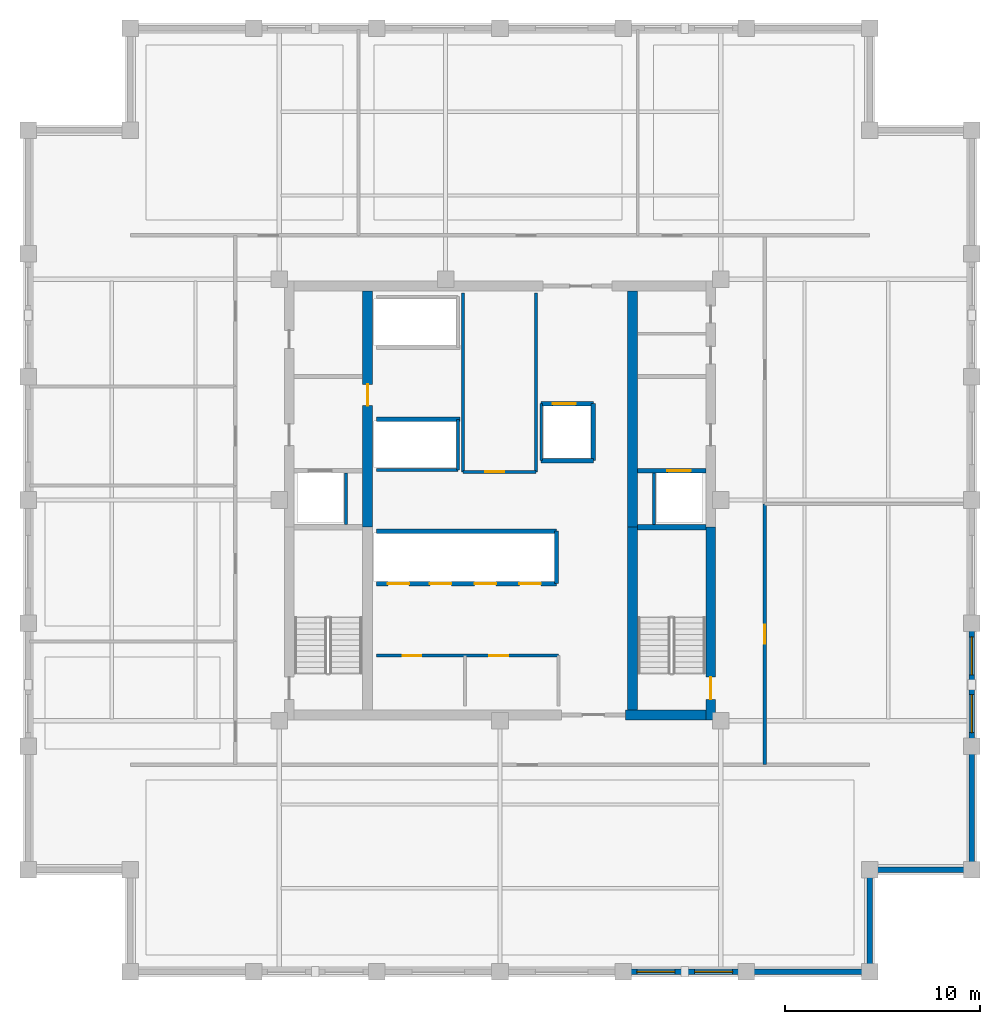
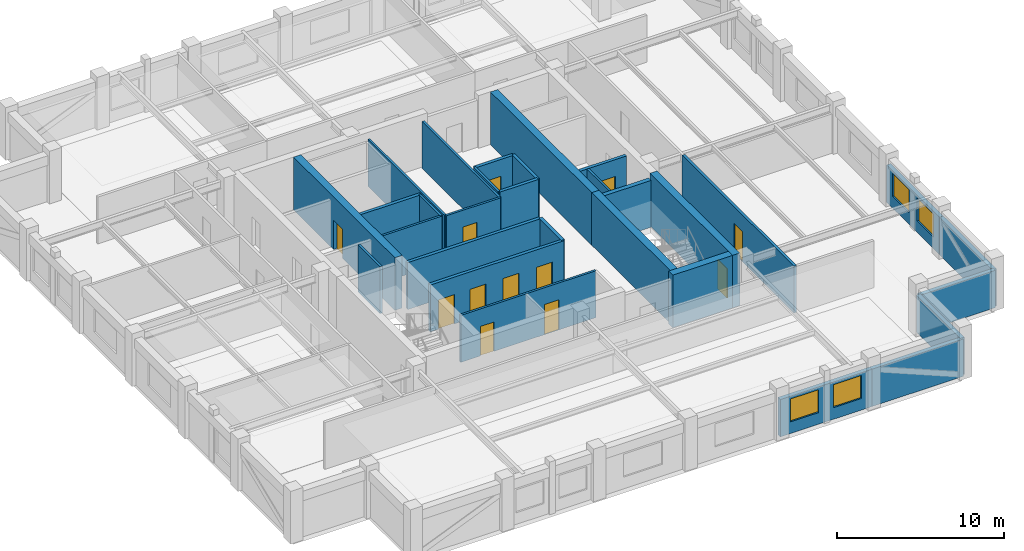
# One storey, part 3 of 9: 30 walls, 12 doors, 4 windows, 16 openings.
"""IFC4 building model written with IfcOpenShell, lengths in metres."""

from ifc_helpers import new_model, si_unit, direction, frame, frame_2d, origin, place, context, subcontext, project, spatial, rectangle, extrude, material, layer, layer_set, type_object, element, fill, save


model = new_model("IFC4")

# Units and contexts
model_context = context("Model", 3, precision=1e-05, world=origin(), true_north=direction((0.0, 1.0)))
body_context = subcontext(model_context, "Body", "Model", "MODEL_VIEW")
ifc_project = project(units=[si_unit("LENGTHUNIT", "METRE"), si_unit("AREAUNIT", "SQUARE_METRE"), si_unit("VOLUMEUNIT", "CUBIC_METRE"), si_unit("PLANEANGLEUNIT", "RADIAN"), si_unit("MASSUNIT", "GRAM", prefix="KILO")], contexts=[model_context])

# Site, building, storey
site_placement = place(None, origin())
site = spatial("IfcSite", under=ifc_project, at=site_placement, CompositionType="ELEMENT")
building_placement = place(site_placement, origin())
building = spatial("IfcBuilding", under=site, at=building_placement, Name="Nhamokura Convention Tower", CompositionType="ELEMENT")
storey_placement = place(building_placement, frame((0.0, 0.0, 186.89990234375)))
storey = spatial("IfcBuildingStorey", under=building, at=storey_placement, Name="L45", CompositionType="ELEMENT", Elevation=186.89990234375)

# Wall, openings, windows
ifc_material_1 = material(Name="Bronze-pigmented precast concrete C45/55", Category="concrete")
ifc_layer_1 = layer(ifc_material_1, 0.280029296875)
ifc_layer_set_1 = layer_set([ifc_layer_1], Name="BronzePrecastSpandrel_280")
wall_type_1 = type_object("IfcWallType", Name="BronzePrecastSpandrel_280", PredefinedType="USERDEFINED", material=ifc_layer_set_1)
wall_1_placement = place(storey_placement, frame((44.666748046875, 7.75, 0.0), z_axis=(0.0, 0.0, 1.0), x_axis=(-1.0, 0.0, 0.0)))
wall_1 = element("IfcWall", 1, at=wall_1_placement, inside=storey, type_object=wall_type_1, Name="L45 Masonry-Frame Wall SOUTH 4", ObjectType="SPANDREL_WALL", PredefinedType="USERDEFINED", context=body_context, shape_type="SweptSolid", body=[
    extrude(rectangle(XDim=6.33349609375, YDim=0.280029296875, at=frame_2d((3.166748046875, 0.0))), origin(), (0.0, 0.0, 1.0), 2.72998046875),
])
opening_1_placement = place(wall_1_placement, frame((0.708251953125, 0.0, 0.85009765625)))
opening_1 = element("IfcOpeningElement", 2, at=opening_1_placement, cuts=wall_1, Name="Opening W-08", PredefinedType="OPENING", context=body_context, shape_type="SweptSolid", body=[
    extrude(rectangle(XDim=1.949951171875, YDim=1.679931640625, at=frame_2d((0.97509765625, 0.83984375))), frame((0.0, 0.14990234375, 0.0), z_axis=(0.0, -1.0, 0.0), x_axis=(1.0, 0.0, 0.0)), (0.0, 0.0, 1.0), 0.300048828125),
])
opening_2_placement = place(wall_1_placement, frame((3.675048828125, 0.0, 0.85009765625)))
opening_2 = element("IfcOpeningElement", 3, at=opening_2_placement, cuts=wall_1, Name="Opening W-08", PredefinedType="OPENING", context=body_context, shape_type="SweptSolid", body=[
    extrude(rectangle(XDim=1.949951171875, YDim=1.679931640625, at=frame_2d((0.97509765625, 0.83984375))), frame((0.0, 0.14990234375, 0.0), z_axis=(0.0, -1.0, 0.0), x_axis=(1.0, 0.0, 0.0)), (0.0, 0.0, 1.0), 0.300048828125),
])
ifc_material_2 = material(Name="Solar-control bronze low-E double glass", Category="glass")
window_type = type_object("IfcWindowType", Name="OfficeModuleWindow_Z3_1950", PartitioningType="SINGLE_PANEL", PredefinedType="WINDOW", material=ifc_material_2)
window_1_placement = place(opening_1_placement, origin())
window_1 = element("IfcWindow", 4, at=window_1_placement, inside=storey, type_object=window_type, Name="L45 Facade Window SOUTH 4-1", OverallHeight=1.679931640625, OverallWidth=1.949951171875, PartitioningType="SINGLE_PANEL", PredefinedType="WINDOW", context=body_context, shape_type="SweptSolid", body=[
    extrude(rectangle(XDim=1.949951171875, YDim=1.679931640625, at=frame_2d((0.97509765625, 0.83984375))), frame((0.0, 0.030029296875, 0.0), z_axis=(0.0, -1.0, 0.0), x_axis=(1.0, 0.0, 0.0)), (0.0, 0.0, 1.0), 0.06005859375),
])
fill(opening_1, window_1)
window_2_placement = place(opening_2_placement, origin())
window_2 = element("IfcWindow", 5, at=window_2_placement, inside=storey, type_object=window_type, Name="L45 Facade Window SOUTH 4-2", OverallHeight=1.679931640625, OverallWidth=1.949951171875, PartitioningType="SINGLE_PANEL", PredefinedType="WINDOW", context=body_context, shape_type="SweptSolid", body=[
    extrude(rectangle(XDim=1.949951171875, YDim=1.679931640625, at=frame_2d((0.97509765625, 0.83984375))), frame((0.0, 0.030029296875, 0.0), z_axis=(0.0, -1.0, 0.0), x_axis=(1.0, 0.0, 0.0)), (0.0, 0.0, 1.0), 0.06005859375),
])
fill(opening_2, window_2)

# Walls
for number, where, z_axis, x_axis, name in (
    (6, (51.0, 7.75, 0.0), (0.0, 0.0, 1.0), (-1.0, 0.0, 0.0), "L45 Braced-Bay Precast Wall SOUTH 5"),
    (7, (56.25, 19.333251953125, 0.0), (0.0, 0.0, 1.0), (0.0, -1.0, 0.0), "L45 Braced-Bay Precast Wall EAST 0"),
):
    element("IfcWall", number, at=place(storey_placement, frame(where, z_axis=z_axis, x_axis=x_axis)), inside=storey, type_object=wall_type_1, Name=name, ObjectType="SPANDREL_WALL", PredefinedType="USERDEFINED", context=body_context, shape_type="SweptSolid", body=[
        extrude(rectangle(XDim=6.333251953125, YDim=0.280029296875, at=frame_2d((3.16650390625, 0.0))), origin(), (0.0, 0.0, 1.0), 2.72998046875),
    ])

# Wall, openings, windows
wall_2_placement = place(storey_placement, frame((56.25, 25.666748046875, 0.0), z_axis=(0.0, 0.0, 1.0), x_axis=(0.0, -1.0, 0.0)))
wall_2 = element("IfcWall", 8, at=wall_2_placement, inside=storey, type_object=wall_type_1, Name="L45 Masonry-Frame Wall EAST 1", ObjectType="SPANDREL_WALL", PredefinedType="USERDEFINED", context=body_context, shape_type="SweptSolid", body=[
    extrude(rectangle(XDim=6.33349609375, YDim=0.280029296875, at=frame_2d((3.166748046875, 0.0))), origin(), (0.0, 0.0, 1.0), 2.72998046875),
])
opening_3_placement = place(wall_2_placement, frame((0.708251953125, 0.0, 0.85009765625)))
opening_3 = element("IfcOpeningElement", 9, at=opening_3_placement, cuts=wall_2, Name="Opening W-08", PredefinedType="OPENING", context=body_context, shape_type="SweptSolid", body=[
    extrude(rectangle(XDim=1.949951171875, YDim=1.679931640625, at=frame_2d((0.97509765625, 0.83984375))), frame((0.0, 0.14990234375, 0.0), z_axis=(0.0, -1.0, 0.0), x_axis=(1.0, 0.0, 0.0)), (0.0, 0.0, 1.0), 0.300048828125),
])
opening_4_placement = place(wall_2_placement, frame((3.675048828125, 0.0, 0.85009765625)))
opening_4 = element("IfcOpeningElement", 10, at=opening_4_placement, cuts=wall_2, Name="Opening W-08", PredefinedType="OPENING", context=body_context, shape_type="SweptSolid", body=[
    extrude(rectangle(XDim=1.949951171875, YDim=1.679931640625, at=frame_2d((0.97509765625, 0.83984375))), frame((0.0, 0.14990234375, 0.0), z_axis=(0.0, -1.0, 0.0), x_axis=(1.0, 0.0, 0.0)), (0.0, 0.0, 1.0), 0.300048828125),
])
window_3_placement = place(opening_3_placement, origin())
window_3 = element("IfcWindow", 11, at=window_3_placement, inside=storey, type_object=window_type, Name="L45 Facade Window EAST 1-1", OverallHeight=1.679931640625, OverallWidth=1.949951171875, PartitioningType="SINGLE_PANEL", PredefinedType="WINDOW", context=body_context, shape_type="SweptSolid", body=[
    extrude(rectangle(XDim=1.949951171875, YDim=1.679931640625, at=frame_2d((0.97509765625, 0.83984375))), frame((0.0, 0.030029296875, 0.0), z_axis=(0.0, -1.0, 0.0), x_axis=(1.0, 0.0, 0.0)), (0.0, 0.0, 1.0), 0.06005859375),
])
fill(opening_3, window_3)
window_4_placement = place(opening_4_placement, origin())
window_4 = element("IfcWindow", 12, at=window_4_placement, inside=storey, type_object=window_type, Name="L45 Facade Window EAST 1-2", OverallHeight=1.679931640625, OverallWidth=1.949951171875, PartitioningType="SINGLE_PANEL", PredefinedType="WINDOW", context=body_context, shape_type="SweptSolid", body=[
    extrude(rectangle(XDim=1.949951171875, YDim=1.679931640625, at=frame_2d((0.97509765625, 0.83984375))), frame((0.0, 0.030029296875, 0.0), z_axis=(0.0, -1.0, 0.0), x_axis=(1.0, 0.0, 0.0)), (0.0, 0.0, 1.0), 0.06005859375),
])
fill(opening_4, window_4)

# Walls
for number, where, z_axis, x_axis, name in (
    (13, (51.0, 13.0, 0.0), (0.0, 0.0, 1.0), (0.0, -1.0, 0.0), "L45 Notched Corner Wall SE1"),
    (14, (56.25, 13.0, 0.0), (0.0, 0.0, 1.0), (-1.0, 0.0, 0.0), "L45 Notched Corner Wall SE2"),
):
    element("IfcWall", number, at=place(storey_placement, frame(where, z_axis=z_axis, x_axis=x_axis)), inside=storey, type_object=wall_type_1, Name=name, ObjectType="SPANDREL_WALL", PredefinedType="USERDEFINED", context=body_context, shape_type="SweptSolid", body=[
        extrude(rectangle(XDim=5.25, YDim=0.280029296875, at=frame_2d((2.625, 0.0))), origin(), (0.0, 0.0, 1.0), 2.72998046875),
    ])

# Wall, opening, door
ifc_material_3 = material(Name="Concrete C60/75", Category="concrete")
ifc_layer_2 = layer(ifc_material_3, 0.5)
ifc_layer_set_2 = layer_set([ifc_layer_2], Name="CoreShearWall_500")
wall_type_2 = type_object("IfcWallType", Name="CoreShearWall_500", PredefinedType="SHEAR", material=ifc_layer_set_2)
wall_3_placement = place(storey_placement, frame((42.840087890625, 20.699951171875, 0.0), z_axis=(0.0, 0.0, 1.0), x_axis=(0.0, 1.0, 0.0)))
wall_3 = element("IfcWall", 15, at=wall_3_placement, inside=storey, type_object=wall_type_2, Name="L45 Core Shear Wall CW-ES", PredefinedType="SHEAR", context=body_context, shape_type="SweptSolid", body=[
    extrude(rectangle(XDim=9.900146484375, YDim=0.5, at=frame_2d((4.9501953125, 0.0))), origin(), (0.0, 0.0, 1.0), 3.85009765625),
])
opening_5_placement = place(wall_3_placement, frame((1.050048828125, 0.0, 0.0)))
opening_5 = element("IfcOpeningElement", 16, at=opening_5_placement, cuts=wall_3, Name="Opening D-04", PredefinedType="OPENING", context=body_context, shape_type="SweptSolid", body=[
    extrude(rectangle(XDim=1.14990234375, YDim=2.14990234375, at=frame_2d((0.574951171875, 1.074951171875))), frame((0.0, 0.260009765625, 0.0), z_axis=(0.0, -1.0, 0.0), x_axis=(1.0, 0.0, 0.0)), (0.0, 0.0, 1.0), 0.52001953125),
])
ifc_material_4 = material(Name="Fire-rated steel door", Category="steel")
door_type_1 = type_object("IfcDoorType", Name="StairSmokeDoor_1150", OperationType="NOTDEFINED", PredefinedType="DOOR", material=ifc_material_4)
door_1_placement = place(opening_5_placement, origin())
door_1 = element("IfcDoor", 17, at=door_1_placement, inside=storey, type_object=door_type_1, Name="L45 Core Door INT-L45-D-ST02", OperationType="SINGLE_SWING_RIGHT", OverallHeight=2.14990234375, OverallWidth=1.14990234375, PredefinedType="DOOR", context=body_context, shape_type="SweptSolid", body=[
    extrude(rectangle(XDim=1.14990234375, YDim=2.14990234375, at=frame_2d((0.574951171875, 1.074951171875))), frame((0.0, 0.02490234375, 0.0), z_axis=(0.0, -1.0, 0.0), x_axis=(1.0, 0.0, 0.0)), (0.0, 0.0, 1.0), 0.050048828125),
])
fill(opening_5, door_1)

# Wall
wall_4_placement = place(storey_placement, frame((38.449951171875, 20.949951171875, 0.0), z_axis=(0.0, 0.0, 1.0), x_axis=(1.0, 0.0, 0.0)))
element("IfcWall", 18, at=wall_4_placement, inside=storey, type_object=wall_type_2, Name="L45 Core Shear Wall CW-S2", PredefinedType="SHEAR", context=body_context, shape_type="SweptSolid", body=[
    extrude(rectangle(XDim=4.14013671875, YDim=0.5, at=frame_2d((2.070068359375, 0.0))), origin(), (0.0, 0.0, 1.0), 3.85009765625),
])

# Wall, opening, door
wall_5_placement = place(storey_placement, frame((25.18994140625, 30.60009765625, 0.0), z_axis=(0.0, 0.0, 1.0), x_axis=(0.0, 1.0, 0.0)))
wall_5 = element("IfcWall", 19, at=wall_5_placement, inside=storey, type_object=wall_type_2, Name="L45 Core Shear Wall CW-IWN", PredefinedType="SHEAR", context=body_context, shape_type="SweptSolid", body=[
    extrude(rectangle(XDim=12.14990234375, YDim=0.5, at=frame_2d((6.074951171875, 0.0))), origin(), (0.0, 0.0, 1.0), 3.85009765625),
])
opening_6_placement = place(wall_5_placement, frame((6.25, 0.0, 0.0)))
opening_6 = element("IfcOpeningElement", 20, at=opening_6_placement, cuts=wall_5, Name="Opening D-05", PredefinedType="OPENING", context=body_context, shape_type="SweptSolid", body=[
    extrude(rectangle(XDim=1.10009765625, YDim=2.14990234375, at=frame_2d((0.550048828125, 1.074951171875))), frame((0.0, 0.260009765625, 0.0), z_axis=(0.0, -1.0, 0.0), x_axis=(1.0, 0.0, 0.0)), (0.0, 0.0, 1.0), 0.52001953125),
])
ifc_material_5 = material(Name="Fire-rated steel door", Category="steel")
door_type_2 = type_object("IfcDoorType", Name="FireLobbyDoor_1100", OperationType="NOTDEFINED", PredefinedType="DOOR", material=ifc_material_5)
door_2_placement = place(opening_6_placement, origin())
door_2 = element("IfcDoor", 21, at=door_2_placement, inside=storey, type_object=door_type_2, Name="L45 Core Door INT-L45-D-B3LOB", OperationType="SINGLE_SWING_LEFT", OverallHeight=2.14990234375, OverallWidth=1.10009765625, PredefinedType="DOOR", context=body_context, shape_type="SweptSolid", body=[
    extrude(rectangle(XDim=1.10009765625, YDim=2.14990234375, at=frame_2d((0.550048828125, 1.074951171875))), frame((0.0, 0.02490234375, 0.0), z_axis=(0.0, -1.0, 0.0), x_axis=(1.0, 0.0, 0.0)), (0.0, 0.0, 1.0), 0.050048828125),
])
fill(opening_6, door_2)

# Walls
wall_6_placement = place(storey_placement, frame((38.81005859375, 21.199951171875, 0.0), z_axis=(0.0, 0.0, 1.0), x_axis=(0.0, 1.0, 0.0)))
element("IfcWall", 22, at=wall_6_placement, inside=storey, type_object=wall_type_2, Name="L45 Core Shear Wall CW-IES", PredefinedType="SHEAR", context=body_context, shape_type="SweptSolid", body=[
    extrude(rectangle(XDim=9.400146484375, YDim=0.5, at=frame_2d((4.7001953125, 0.0))), origin(), (0.0, 0.0, 1.0), 3.85009765625),
])
wall_7_placement = place(storey_placement, frame((38.81005859375, 30.60009765625, 0.0), z_axis=(0.0, 0.0, 1.0), x_axis=(0.0, 1.0, 0.0)))
element("IfcWall", 23, at=wall_7_placement, inside=storey, type_object=wall_type_2, Name="L45 Core Shear Wall CW-IEN", PredefinedType="SHEAR", context=body_context, shape_type="SweptSolid", body=[
    extrude(rectangle(XDim=12.14990234375, YDim=0.5, at=frame_2d((6.074951171875, 0.0))), origin(), (0.0, 0.0, 1.0), 3.85009765625),
])

# Wall, opening, door
ifc_material_6 = material(Name="Fire-rated gypsum and masonry partition", Category="masonry")
ifc_layer_3 = layer(ifc_material_6, 0.179931640625)
ifc_layer_set_3 = layer_set([ifc_layer_3], Name="CorridorRatedWall_180")
wall_type_3 = type_object("IfcWallType", Name="CorridorRatedWall_180", PredefinedType="STANDARD", material=ifc_layer_set_3)
wall_8_placement = place(storey_placement, frame((45.60009765625, 18.39990234375, 0.0), z_axis=(0.0, 0.0, 1.0), x_axis=(0.0, 1.0, 0.0)))
wall_8 = element("IfcWall", 24, at=wall_8_placement, inside=storey, type_object=wall_type_3, Name="L45 Wall INT-L45-CW-E00", PredefinedType="STANDARD", context=body_context, shape_type="SweptSolid", body=[
    extrude(rectangle(XDim=13.400146484375, YDim=0.179931640625, at=frame_2d((6.7001953125, 0.0))), origin(), (0.0, 0.0, 1.0), 3.43017578125),
])
opening_7_placement = place(wall_8_placement, frame((6.199951171875, 0.0, 0.0)))
opening_7 = element("IfcOpeningElement", 25, at=opening_7_placement, cuts=wall_8, Name="Opening D-08", PredefinedType="OPENING", context=body_context, shape_type="SweptSolid", body=[
    extrude(rectangle(XDim=0.97998046875, YDim=2.199951171875, at=frame_2d((0.489990234375, 1.10009765625))), frame((0.0, 0.099853515625, 0.0), z_axis=(0.0, -1.0, 0.0), x_axis=(1.0, 0.0, 0.0)), (0.0, 0.0, 1.0), 0.199951171875),
])
ifc_material_7 = material(Name="Solid oak hardwood", Category="wood")
door_type_3 = type_object("IfcDoorType", Name="OfficeEntryDoor_980", OperationType="NOTDEFINED", PredefinedType="DOOR", material=ifc_material_7)
door_3_placement = place(opening_7_placement, origin())
door_3 = element("IfcDoor", 26, at=door_3_placement, inside=storey, type_object=door_type_3, Name="L45 Staff Lounge E01 Door", OperationType="SINGLE_SWING_LEFT", OverallHeight=2.199951171875, OverallWidth=0.97998046875, PredefinedType="DOOR", context=body_context, shape_type="SweptSolid", body=[
    extrude(rectangle(XDim=0.97998046875, YDim=2.199951171875, at=frame_2d((0.489990234375, 1.10009765625))), frame((0.0, 0.02490234375, 0.0), z_axis=(0.0, -1.0, 0.0), x_axis=(1.0, 0.0, 0.0)), (0.0, 0.0, 1.0), 0.050048828125),
])
fill(opening_7, door_3)

ifc_material_8 = material(Name="Autoclaved concrete blockwork", Category="masonry")
ifc_layer_4 = layer(ifc_material_8, 0.219970703125)
ifc_layer_set_4 = layer_set([ifc_layer_4], Name="FireLobbyWall_220")
wall_type_4 = type_object("IfcWallType", Name="FireLobbyWall_220", PredefinedType="STANDARD", material=ifc_layer_set_4)
wall_9_placement = place(storey_placement, frame((39.06005859375, 33.5, 0.0), z_axis=(0.0, 0.0, 1.0), x_axis=(1.0, 0.0, 0.0)))
wall_9 = element("IfcWall", 27, at=wall_9_placement, inside=storey, type_object=wall_type_4, Name="L45 Wall INT-L45-FFE-S", PredefinedType="STANDARD", context=body_context, shape_type="SweptSolid", body=[
    extrude(rectangle(XDim=3.530029296875, YDim=0.219970703125, at=frame_2d((1.76513671875, 0.0))), origin(), (0.0, 0.0, 1.0), 3.43017578125),
])
opening_8_placement = place(wall_9_placement, frame((1.550048828125, 0.0, 0.0)))
opening_8 = element("IfcOpeningElement", 28, at=opening_8_placement, cuts=wall_9, Name="Opening LD-02", PredefinedType="OPENING", context=body_context, shape_type="SweptSolid", body=[
    extrude(rectangle(XDim=1.199951171875, YDim=2.199951171875, at=frame_2d((0.60009765625, 1.10009765625))), frame((0.0, 0.119873046875, 0.0), z_axis=(0.0, -1.0, 0.0), x_axis=(1.0, 0.0, 0.0)), (0.0, 0.0, 1.0), 0.239990234375),
])
ifc_material_9 = material(Name="Anodised bronze stainless steel", Category="steel")
door_type_4 = type_object("IfcDoorType", Name="LiftLandingDoor_FireService", OperationType="DOUBLE_DOOR_SLIDING", PredefinedType="DOOR", material=ifc_material_9)
door_4_placement = place(opening_8_placement, origin())
door_4 = element("IfcDoor", 29, at=door_4_placement, inside=storey, type_object=door_type_4, Name="L45 Firefighting Lift LF-02 Door", OperationType="DOUBLE_DOOR_SLIDING", OverallHeight=2.199951171875, OverallWidth=1.199951171875, PredefinedType="DOOR", context=body_context, shape_type="SweptSolid", body=[
    extrude(rectangle(XDim=1.199951171875, YDim=2.199951171875, at=frame_2d((0.60009765625, 1.10009765625))), frame((0.0, 0.02490234375, 0.0), z_axis=(0.0, -1.0, 0.0), x_axis=(1.0, 0.0, 0.0)), (0.0, 0.0, 1.0), 0.050048828125),
])
fill(opening_8, door_4)

# Wall, openings, doors
wall_10_placement = place(storey_placement, frame((25.64990234375, 27.699951171875, 0.0), z_axis=(0.0, 0.0, 1.0), x_axis=(1.0, 0.0, 0.0)))
wall_10 = element("IfcWall", 30, at=wall_10_placement, inside=storey, type_object=wall_type_4, Name="L45 Wall INT-L45-B2S", PredefinedType="STANDARD", context=body_context, shape_type="SweptSolid", body=[
    extrude(rectangle(XDim=9.25, YDim=0.219970703125, at=frame_2d((4.625, 0.0))), origin(), (0.0, 0.0, 1.0), 3.43017578125),
])
opening_9_placement = place(wall_10_placement, frame((0.580078125, 0.0, 0.0)))
opening_9 = element("IfcOpeningElement", 31, at=opening_9_placement, cuts=wall_10, Name="Opening LD-01", PredefinedType="OPENING", context=body_context, shape_type="SweptSolid", body=[
    extrude(rectangle(XDim=1.10009765625, YDim=2.14990234375, at=frame_2d((0.550048828125, 1.074951171875))), frame((0.0, 0.119873046875, 0.0), z_axis=(0.0, -1.0, 0.0), x_axis=(1.0, 0.0, 0.0)), (0.0, 0.0, 1.0), 0.239990234375),
])
opening_10_placement = place(wall_10_placement, frame((2.75, 0.0, 0.0)))
opening_10 = element("IfcOpeningElement", 32, at=opening_10_placement, cuts=wall_10, Name="Opening LD-01", PredefinedType="OPENING", context=body_context, shape_type="SweptSolid", body=[
    extrude(rectangle(XDim=1.10009765625, YDim=2.14990234375, at=frame_2d((0.550048828125, 1.074951171875))), frame((0.0, 0.119873046875, 0.0), z_axis=(0.0, -1.0, 0.0), x_axis=(1.0, 0.0, 0.0)), (0.0, 0.0, 1.0), 0.239990234375),
])
opening_11_placement = place(wall_10_placement, frame((5.050048828125, 0.0, 0.0)))
opening_11 = element("IfcOpeningElement", 33, at=opening_11_placement, cuts=wall_10, Name="Opening LD-01", PredefinedType="OPENING", context=body_context, shape_type="SweptSolid", body=[
    extrude(rectangle(XDim=1.10009765625, YDim=2.14990234375, at=frame_2d((0.550048828125, 1.074951171875))), frame((0.0, 0.119873046875, 0.0), z_axis=(0.0, -1.0, 0.0), x_axis=(1.0, 0.0, 0.0)), (0.0, 0.0, 1.0), 0.239990234375),
])
opening_12_placement = place(wall_10_placement, frame((7.35009765625, 0.0, 0.0)))
opening_12 = element("IfcOpeningElement", 34, at=opening_12_placement, cuts=wall_10, Name="Opening LD-01", PredefinedType="OPENING", context=body_context, shape_type="SweptSolid", body=[
    extrude(rectangle(XDim=1.10009765625, YDim=2.14990234375, at=frame_2d((0.550048828125, 1.074951171875))), frame((0.0, 0.119873046875, 0.0), z_axis=(0.0, -1.0, 0.0), x_axis=(1.0, 0.0, 0.0)), (0.0, 0.0, 1.0), 0.239990234375),
])
ifc_material_10 = material(Name="Anodised bronze stainless steel", Category="steel")
door_type_5 = type_object("IfcDoorType", Name="LiftLandingDoor_Passenger", OperationType="DOUBLE_DOOR_SLIDING", PredefinedType="DOOR", material=ifc_material_10)
door_5_placement = place(opening_9_placement, origin())
door_5 = element("IfcDoor", 35, at=door_5_placement, inside=storey, type_object=door_type_5, Name="L45 Lift LP-05 Landing Door", OperationType="DOUBLE_DOOR_SLIDING", OverallHeight=2.14990234375, OverallWidth=1.10009765625, PredefinedType="DOOR", context=body_context, shape_type="SweptSolid", body=[
    extrude(rectangle(XDim=1.10009765625, YDim=2.14990234375, at=frame_2d((0.550048828125, 1.074951171875))), frame((0.0, 0.02490234375, 0.0), z_axis=(0.0, -1.0, 0.0), x_axis=(1.0, 0.0, 0.0)), (0.0, 0.0, 1.0), 0.050048828125),
])
fill(opening_9, door_5)
door_6_placement = place(opening_10_placement, origin())
door_6 = element("IfcDoor", 36, at=door_6_placement, inside=storey, type_object=door_type_5, Name="L45 Lift LP-06 Landing Door", OperationType="DOUBLE_DOOR_SLIDING", OverallHeight=2.14990234375, OverallWidth=1.10009765625, PredefinedType="DOOR", context=body_context, shape_type="SweptSolid", body=[
    extrude(rectangle(XDim=1.10009765625, YDim=2.14990234375, at=frame_2d((0.550048828125, 1.074951171875))), frame((0.0, 0.02490234375, 0.0), z_axis=(0.0, -1.0, 0.0), x_axis=(1.0, 0.0, 0.0)), (0.0, 0.0, 1.0), 0.050048828125),
])
fill(opening_10, door_6)
door_7_placement = place(opening_11_placement, origin())
door_7 = element("IfcDoor", 37, at=door_7_placement, inside=storey, type_object=door_type_5, Name="L45 Lift LP-07 Landing Door", OperationType="DOUBLE_DOOR_SLIDING", OverallHeight=2.14990234375, OverallWidth=1.10009765625, PredefinedType="DOOR", context=body_context, shape_type="SweptSolid", body=[
    extrude(rectangle(XDim=1.10009765625, YDim=2.14990234375, at=frame_2d((0.550048828125, 1.074951171875))), frame((0.0, 0.02490234375, 0.0), z_axis=(0.0, -1.0, 0.0), x_axis=(1.0, 0.0, 0.0)), (0.0, 0.0, 1.0), 0.050048828125),
])
fill(opening_11, door_7)
door_8_placement = place(opening_12_placement, origin())
door_8 = element("IfcDoor", 38, at=door_8_placement, inside=storey, type_object=door_type_5, Name="L45 Lift LP-08 Landing Door", OperationType="DOUBLE_DOOR_SLIDING", OverallHeight=2.14990234375, OverallWidth=1.10009765625, PredefinedType="DOOR", context=body_context, shape_type="SweptSolid", body=[
    extrude(rectangle(XDim=1.10009765625, YDim=2.14990234375, at=frame_2d((0.550048828125, 1.074951171875))), frame((0.0, 0.02490234375, 0.0), z_axis=(0.0, -1.0, 0.0), x_axis=(1.0, 0.0, 0.0)), (0.0, 0.0, 1.0), 0.050048828125),
])
fill(opening_12, door_8)

# Walls
wall_11_placement = place(storey_placement, frame((25.64990234375, 30.39990234375, 0.0), z_axis=(0.0, 0.0, 1.0), x_axis=(1.0, 0.0, 0.0)))
element("IfcWall", 39, at=wall_11_placement, inside=storey, type_object=wall_type_4, Name="L45 Wall INT-L45-B2N", PredefinedType="STANDARD", context=body_context, shape_type="SweptSolid", body=[
    extrude(rectangle(XDim=9.25, YDim=0.219970703125, at=frame_2d((4.625, 0.0))), origin(), (0.0, 0.0, 1.0), 3.43017578125),
])
wall_12_placement = place(storey_placement, frame((34.89990234375, 27.699951171875, 0.0), z_axis=(0.0, 0.0, 1.0), x_axis=(0.0, 1.0, 0.0)))
element("IfcWall", 40, at=wall_12_placement, inside=storey, type_object=wall_type_4, Name="L45 Wall INT-L45-B2E", PredefinedType="STANDARD", context=body_context, shape_type="SweptSolid", body=[
    extrude(rectangle(XDim=2.699951171875, YDim=0.219970703125, at=frame_2d((1.35009765625, 0.0))), origin(), (0.0, 0.0, 1.0), 3.43017578125),
])
wall_13_placement = place(storey_placement, frame((25.64990234375, 36.14990234375, 0.0), z_axis=(0.0, 0.0, 1.0), x_axis=(1.0, 0.0, 0.0)))
element("IfcWall", 41, at=wall_13_placement, inside=storey, type_object=wall_type_4, Name="L45 Wall INT-L45-B3S", PredefinedType="STANDARD", context=body_context, shape_type="SweptSolid", body=[
    extrude(rectangle(XDim=4.300048828125, YDim=0.219970703125, at=frame_2d((2.14990234375, 0.0))), origin(), (0.0, 0.0, 1.0), 3.43017578125),
])

# Wall, opening, door
wall_14_placement = place(storey_placement, frame((34.1201171875, 36.949951171875, 0.0), z_axis=(0.0, 0.0, 1.0), x_axis=(1.0, 0.0, 0.0)))
wall_14 = element("IfcWall", 42, at=wall_14_placement, inside=storey, type_object=wall_type_4, Name="L45 Wall INT-L45-LSN", PredefinedType="STANDARD", context=body_context, shape_type="SweptSolid", body=[
    extrude(rectangle(XDim=2.679931640625, YDim=0.219970703125, at=frame_2d((1.33984375, 0.0))), origin(), (0.0, 0.0, 1.0), 3.43017578125),
])
opening_13_placement = place(wall_14_placement, frame((0.580078125, 0.0, 0.0)))
opening_13 = element("IfcOpeningElement", 43, at=opening_13_placement, cuts=wall_14, Name="Opening LD-02", PredefinedType="OPENING", context=body_context, shape_type="SweptSolid", body=[
    extrude(rectangle(XDim=1.199951171875, YDim=2.199951171875, at=frame_2d((0.60009765625, 1.10009765625))), frame((0.0, 0.119873046875, 0.0), z_axis=(0.0, -1.0, 0.0), x_axis=(1.0, 0.0, 0.0)), (0.0, 0.0, 1.0), 0.239990234375),
])
door_9_placement = place(opening_13_placement, origin())
door_9 = element("IfcDoor", 44, at=door_9_placement, inside=storey, type_object=door_type_4, Name="L45 Service Lift LS-01 Door", OperationType="DOUBLE_DOOR_SLIDING", OverallHeight=2.199951171875, OverallWidth=1.199951171875, PredefinedType="DOOR", context=body_context, shape_type="SweptSolid", body=[
    extrude(rectangle(XDim=1.199951171875, YDim=2.199951171875, at=frame_2d((0.60009765625, 1.10009765625))), frame((0.0, 0.02490234375, 0.0), z_axis=(0.0, -1.0, 0.0), x_axis=(1.0, 0.0, 0.0)), (0.0, 0.0, 1.0), 0.050048828125),
])
fill(opening_13, door_9)

# Walls
wall_15_placement = place(storey_placement, frame((36.800048828125, 34.02001953125, 0.0), z_axis=(0.0, 0.0, 1.0), x_axis=(0.0, 1.0, 0.0)))
element("IfcWall", 45, at=wall_15_placement, inside=storey, type_object=wall_type_4, Name="L45 Wall INT-L45-LSE", PredefinedType="STANDARD", context=body_context, shape_type="SweptSolid", body=[
    extrude(rectangle(XDim=2.929931640625, YDim=0.219970703125, at=frame_2d((1.46484375, 0.0))), origin(), (0.0, 0.0, 1.0), 3.43017578125),
])
wall_16_placement = place(storey_placement, frame((34.1201171875, 34.02001953125, 0.0), z_axis=(0.0, 0.0, 1.0), x_axis=(1.0, 0.0, 0.0)))
element("IfcWall", 46, at=wall_16_placement, inside=storey, type_object=wall_type_4, Name="L45 Wall INT-L45-LSS", PredefinedType="STANDARD", context=body_context, shape_type="SweptSolid", body=[
    extrude(rectangle(XDim=2.679931640625, YDim=0.219970703125, at=frame_2d((1.33984375, 0.0))), origin(), (0.0, 0.0, 1.0), 3.43017578125),
])
ifc_material_11 = material(Name="Acoustic gypsum stud partition", Category="masonry")
ifc_layer_5 = layer(ifc_material_11, 0.14990234375)
ifc_layer_set_5 = layer_set([ifc_layer_5], Name="InteriorPartition_150")
wall_type_5 = type_object("IfcWallType", Name="InteriorPartition_150", PredefinedType="STANDARD", material=ifc_layer_set_5)
for number, where, z_axis, x_axis, name in (
    (47, (24.080078125, 30.75, 0.0), (0.0, 0.0, 1.0), (0.0, 1.0, 0.0), "L45 Wall INT-L45-FF1-E"),
    (48, (39.919921875, 30.75, 0.0), (0.0, 0.0, 1.0), (0.0, 1.0, 0.0), "L45 Wall INT-L45-FF2-W"),
):
    element("IfcWall", number, at=place(storey_placement, frame(where, z_axis=z_axis, x_axis=x_axis)), inside=storey, type_object=wall_type_5, Name=name, PredefinedType="STANDARD", context=body_context, shape_type="SweptSolid", body=[
        extrude(rectangle(XDim=2.64990234375, YDim=0.14990234375, at=frame_2d((1.324951171875, 0.0))), origin(), (0.0, 0.0, 1.0), 3.43017578125),
    ])

# Wall, openings, doors
wall_17_placement = place(storey_placement, frame((25.64990234375, 24.0, 0.0), z_axis=(0.0, 0.0, 1.0), x_axis=(1.0, 0.0, 0.0)))
wall_17 = element("IfcWall", 49, at=wall_17_placement, inside=storey, type_object=wall_type_5, Name="L45 Wall INT-L45-B1R-N", PredefinedType="STANDARD", context=body_context, shape_type="SweptSolid", body=[
    extrude(rectangle(XDim=9.35009765625, YDim=0.14990234375, at=frame_2d((4.675048828125, 0.0))), origin(), (0.0, 0.0, 1.0), 3.43017578125),
])
opening_14_placement = place(wall_17_placement, frame((1.35009765625, 0.0, 0.0)))
opening_14 = element("IfcOpeningElement", 50, at=opening_14_placement, cuts=wall_17, Name="Opening D-09", PredefinedType="OPENING", context=body_context, shape_type="SweptSolid", body=[
    extrude(rectangle(XDim=0.949951171875, YDim=2.14990234375, at=frame_2d((0.47509765625, 1.074951171875))), frame((0.0, 0.0849609375, 0.0), z_axis=(0.0, -1.0, 0.0), x_axis=(1.0, 0.0, 0.0)), (0.0, 0.0, 1.0), 0.169921875),
])
opening_15_placement = place(wall_17_placement, frame((5.800048828125, 0.0, 0.0)))
opening_15 = element("IfcOpeningElement", 51, at=opening_15_placement, cuts=wall_17, Name="Opening D-08", PredefinedType="OPENING", context=body_context, shape_type="SweptSolid", body=[
    extrude(rectangle(XDim=0.97998046875, YDim=2.199951171875, at=frame_2d((0.489990234375, 1.10009765625))), frame((0.0, 0.0849609375, 0.0), z_axis=(0.0, -1.0, 0.0), x_axis=(1.0, 0.0, 0.0)), (0.0, 0.0, 1.0), 0.169921875),
])
ifc_material_12 = material(Name="Solid oak hardwood", Category="wood")
door_type_6 = type_object("IfcDoorType", Name="MeetingRoomDoor_950", OperationType="NOTDEFINED", PredefinedType="DOOR", material=ifc_material_12)
door_10_placement = place(opening_14_placement, origin())
door_10 = element("IfcDoor", 52, at=door_10_placement, inside=storey, type_object=door_type_6, Name="L45 Reclaimed Briefing Room Door", OperationType="SINGLE_SWING_RIGHT", OverallHeight=2.14990234375, OverallWidth=0.949951171875, PredefinedType="DOOR", context=body_context, shape_type="SweptSolid", body=[
    extrude(rectangle(XDim=0.949951171875, YDim=2.14990234375, at=frame_2d((0.47509765625, 1.074951171875))), frame((0.0, 0.02490234375, 0.0), z_axis=(0.0, -1.0, 0.0), x_axis=(1.0, 0.0, 0.0)), (0.0, 0.0, 1.0), 0.050048828125),
])
fill(opening_14, door_10)
door_11_placement = place(opening_15_placement, origin())
door_11 = element("IfcDoor", 53, at=door_11_placement, inside=storey, type_object=door_type_3, Name="L45 Reclaimed Hub Door", OperationType="SINGLE_SWING_LEFT", OverallHeight=2.199951171875, OverallWidth=0.97998046875, PredefinedType="DOOR", context=body_context, shape_type="SweptSolid", body=[
    extrude(rectangle(XDim=0.97998046875, YDim=2.199951171875, at=frame_2d((0.489990234375, 1.10009765625))), frame((0.0, 0.02490234375, 0.0), z_axis=(0.0, -1.0, 0.0), x_axis=(1.0, 0.0, 0.0)), (0.0, 0.0, 1.0), 0.050048828125),
])
fill(opening_15, door_11)

# Walls
wall_18_placement = place(storey_placement, frame((25.64990234375, 33.550048828125, 0.0), z_axis=(0.0, 0.0, 1.0), x_axis=(1.0, 0.0, 0.0)))
element("IfcWall", 54, at=wall_18_placement, inside=storey, type_object=wall_type_5, Name="L45 Wall INT-L45-B3A-S", PredefinedType="STANDARD", context=body_context, shape_type="SweptSolid", body=[
    extrude(rectangle(XDim=4.2001953125, YDim=0.14990234375, at=frame_2d((2.10009765625, 0.0))), origin(), (0.0, 0.0, 1.0), 3.43017578125),
])
wall_19_placement = place(storey_placement, frame((29.85009765625, 33.550048828125, 0.0), z_axis=(0.0, 0.0, 1.0), x_axis=(0.0, 1.0, 0.0)))
element("IfcWall", 55, at=wall_19_placement, inside=storey, type_object=wall_type_5, Name="L45 Wall INT-L45-B3A-E", PredefinedType="STANDARD", context=body_context, shape_type="SweptSolid", body=[
    extrude(rectangle(XDim=2.599853515625, YDim=0.14990234375, at=frame_2d((1.2998046875, 0.0))), origin(), (0.0, 0.0, 1.0), 3.43017578125),
])
for number, where, z_axis, x_axis, name in (
    (56, (30.10009765625, 33.449951171875, 0.0), (0.0, 0.0, 1.0), (0.0, 1.0, 0.0), "L45 Wall INT-L45-ST03W"),
    (57, (33.85009765625, 33.449951171875, 0.0), (0.0, 0.0, 1.0), (0.0, 1.0, 0.0), "L45 Wall INT-L45-ST03E"),
):
    element("IfcWall", number, at=place(storey_placement, frame(where, z_axis=z_axis, x_axis=x_axis)), inside=storey, type_object=wall_type_5, Name=name, PredefinedType="STANDARD", context=body_context, shape_type="SweptSolid", body=[
        extrude(rectangle(XDim=9.199951171875, YDim=0.14990234375, at=frame_2d((4.60009765625, 0.0))), origin(), (0.0, 0.0, 1.0), 3.43017578125),
    ])

# Wall, opening, door
wall_20_placement = place(storey_placement, frame((30.10009765625, 33.449951171875, 0.0), z_axis=(0.0, 0.0, 1.0), x_axis=(1.0, 0.0, 0.0)))
wall_20 = element("IfcWall", 58, at=wall_20_placement, inside=storey, type_object=wall_type_5, Name="L45 Wall INT-L45-ST03S", PredefinedType="STANDARD", context=body_context, shape_type="SweptSolid", body=[
    extrude(rectangle(XDim=3.75, YDim=0.14990234375, at=frame_2d((1.875, 0.0))), origin(), (0.0, 0.0, 1.0), 3.43017578125),
])
opening_16_placement = place(wall_20_placement, frame((1.14990234375, 0.0, 0.0)))
opening_16 = element("IfcOpeningElement", 59, at=opening_16_placement, cuts=wall_20, Name="Opening D-08", PredefinedType="OPENING", context=body_context, shape_type="SweptSolid", body=[
    extrude(rectangle(XDim=0.97998046875, YDim=2.199951171875, at=frame_2d((0.489990234375, 1.10009765625))), frame((0.0, 0.0849609375, 0.0), z_axis=(0.0, -1.0, 0.0), x_axis=(1.0, 0.0, 0.0)), (0.0, 0.0, 1.0), 0.169921875),
])
door_12_placement = place(opening_16_placement, origin())
door_12 = element("IfcDoor", 60, at=door_12_placement, inside=storey, type_object=door_type_3, Name="L45 Wellness and Records Room Door", OperationType="SINGLE_SWING_RIGHT", OverallHeight=2.199951171875, OverallWidth=0.97998046875, PredefinedType="DOOR", context=body_context, shape_type="SweptSolid", body=[
    extrude(rectangle(XDim=0.97998046875, YDim=2.199951171875, at=frame_2d((0.489990234375, 1.10009765625))), frame((0.0, 0.02490234375, 0.0), z_axis=(0.0, -1.0, 0.0), x_axis=(1.0, 0.0, 0.0)), (0.0, 0.0, 1.0), 0.050048828125),
])
fill(opening_16, door_12)

# Walls
wall_21_placement = place(storey_placement, frame((34.1201171875, 34.02001953125, 0.0), z_axis=(0.0, 0.0, 1.0), x_axis=(0.0, 1.0, 0.0)))
element("IfcWall", 61, at=wall_21_placement, inside=storey, type_object=wall_type_5, Name="L45 Wall INT-L45-LSW", PredefinedType="STANDARD", context=body_context, shape_type="SweptSolid", body=[
    extrude(rectangle(XDim=2.929931640625, YDim=0.14990234375, at=frame_2d((1.46484375, 0.0))), origin(), (0.0, 0.0, 1.0), 3.43017578125),
])
ifc_material_13 = material(Name="Concrete C50/60", Category="concrete")
ifc_layer_6 = layer(ifc_material_13, 0.300048828125)
ifc_layer_set_6 = layer_set([ifc_layer_6], Name="ShaftEnclosureWall_300")
wall_type_6 = type_object("IfcWallType", Name="ShaftEnclosureWall_300", PredefinedType="SHEAR", material=ifc_layer_set_6)
wall_22_placement = place(storey_placement, frame((39.06005859375, 30.60009765625, 0.0), z_axis=(0.0, 0.0, 1.0), x_axis=(1.0, 0.0, 0.0)))
element("IfcWall", 62, at=wall_22_placement, inside=storey, type_object=wall_type_6, Name="L45 Wall INT-L45-ST02-N", PredefinedType="SHEAR", context=body_context, shape_type="SweptSolid", body=[
    extrude(rectangle(XDim=3.530029296875, YDim=0.300048828125, at=frame_2d((1.76513671875, 0.0))), origin(), (0.0, 0.0, 1.0), 3.43017578125),
])

save(model, "model.ifc")
